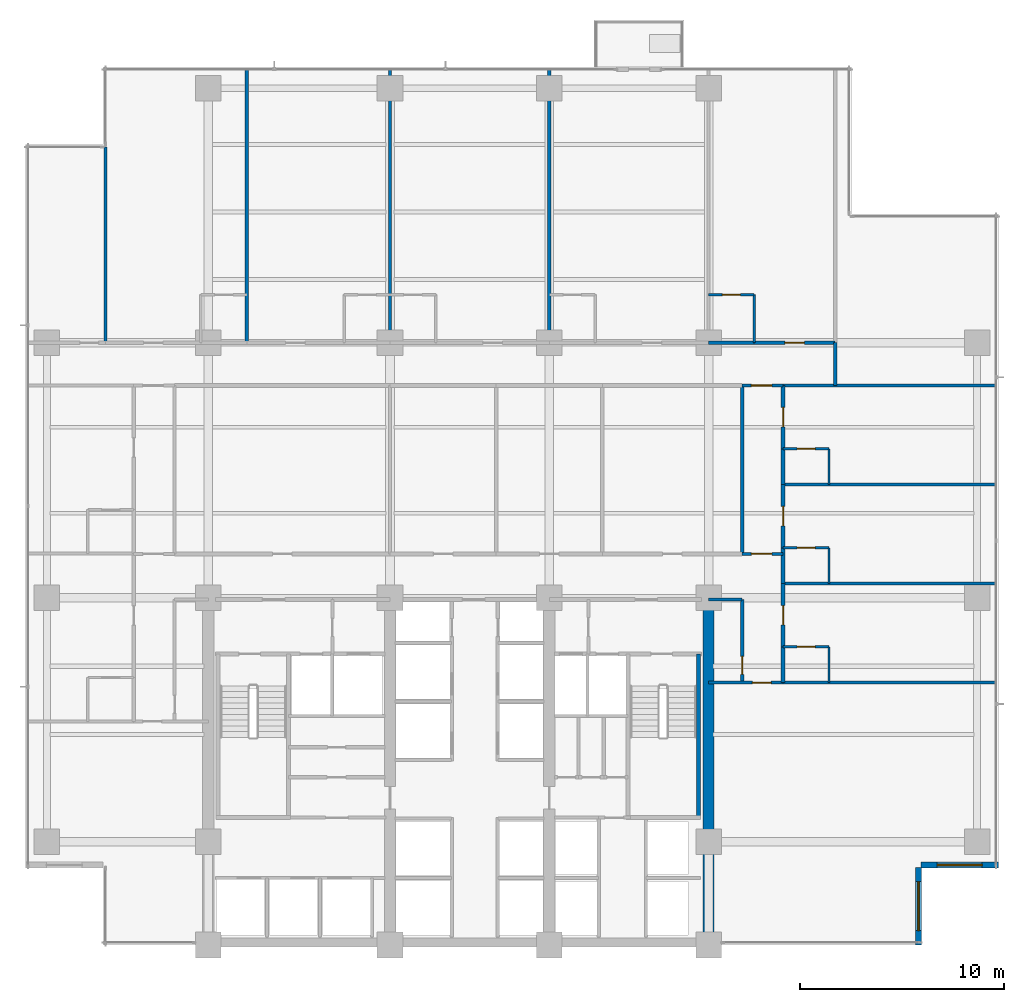
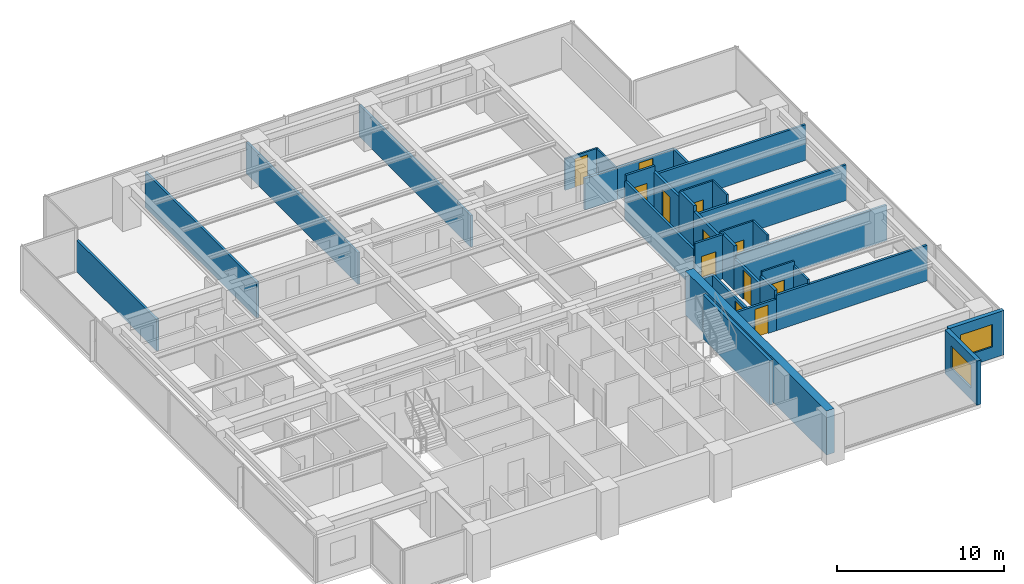
# One storey, part 11 of 17: 35 walls, 12 doors, 2 windows, 14 openings.
"""IFC4 building model written with IfcOpenShell, lengths in metres."""

from ifc_helpers import new_model, si_unit, direction, frame, frame_2d, origin, place, context, subcontext, project, spatial, rectangle, extrude, material, layer, layer_set, type_object, element, fill, save


model = new_model("IFC4")

# Units and contexts
model_context = context("Model", 3, precision=1e-05, world=origin(), true_north=direction((0.0, 1.0)))
body_context = subcontext(model_context, "Body", "Model", "MODEL_VIEW")
ifc_project = project(units=[si_unit("LENGTHUNIT", "METRE"), si_unit("AREAUNIT", "SQUARE_METRE"), si_unit("VOLUMEUNIT", "CUBIC_METRE"), si_unit("PLANEANGLEUNIT", "RADIAN"), si_unit("MASSUNIT", "GRAM", prefix="KILO")], contexts=[model_context])

# Site, building, storey
site_placement = place(None, origin())
site = spatial("IfcSite", under=ifc_project, at=site_placement, CompositionType="ELEMENT")
building_placement = place(site_placement, origin())
building = spatial("IfcBuilding", under=site, at=building_placement, Name="Qalmaran Belvedere Hotel", CompositionType="ELEMENT")
storey_placement = place(building_placement, frame((0.0, 0.0, 88.199951171875)))
storey = spatial("IfcBuildingStorey", under=building, at=storey_placement, Name="L21", CompositionType="ELEMENT", Elevation=88.199951171875)

# Wall
ifc_material_1 = material(Name="Concrete C60/75", Category="concrete")
ifc_layer_1 = layer(ifc_material_1, 0.550048828125, Name="Concrete C60/75")
ifc_layer_set_1 = layer_set([ifc_layer_1], Name="Concrete C60/75")
wall_type_1 = type_object("IfcWallType", Name="WL-CORE-550-C60", PredefinedType="SHEAR", material=ifc_layer_set_1)
wall_1_placement = place(storey_placement, frame((44.800048828125, 3.5, 0.0), z_axis=(0.0, 0.0, 1.0), x_axis=(0.0, 1.0, 0.0)))
element("IfcWall", 1, at=wall_1_placement, inside=storey, type_object=wall_type_1, Name="L21 East Core Shear Wall", PredefinedType="SHEAR", context=body_context, shape_type="SweptSolid", body=[
    extrude(rectangle(XDim=16.89990234375, YDim=0.550048828125, at=frame_2d((8.449951171875, 0.0))), origin(), (0.0, 0.0, 1.0), 3.239990234375),
])

# Wall, opening, window
ifc_material_2 = material(Name="Anodised Bronze Cladding")
ifc_layer_2 = layer(ifc_material_2, 0.280029296875, Name="Anodised Bronze Cladding")
ifc_layer_set_2 = layer_set([ifc_layer_2], Name="Anodised Bronze Cladding")
wall_type_2 = type_object("IfcWallType", Name="WL-EXT-BRNZ-280", PredefinedType="SOLIDWALL", material=ifc_layer_set_2)
wall_2_placement = place(storey_placement, frame((55.080078125, 3.5, 0.0), z_axis=(0.0, 0.0, 1.0), x_axis=(0.0, 1.0, 0.0)))
wall_2 = element("IfcWall", 2, at=wall_2_placement, inside=storey, type_object=wall_type_2, Name="L21 Corner Notch Wall 1", PredefinedType="SOLIDWALL", context=body_context, shape_type="SweptSolid", body=[
    extrude(rectangle(XDim=3.800048828125, YDim=0.280029296875, at=frame_2d((1.89990234375, 0.0))), origin(), (0.0, 0.0, 1.0), 3.239990234375),
])
opening_1_placement = place(wall_2_placement, frame((0.699951171875, 0.0, 0.85009765625)))
opening_1 = element("IfcOpeningElement", 3, at=opening_1_placement, cuts=wall_2, Name="Opening W-N24", PredefinedType="OPENING", context=body_context, shape_type="SweptSolid", body=[
    extrude(rectangle(XDim=2.39990234375, YDim=1.64990234375, at=frame_2d((1.199951171875, 0.824951171875))), frame((0.0, 0.14990234375, 0.0), z_axis=(0.0, -1.0, 0.0), x_axis=(1.0, 0.0, 0.0)), (0.0, 0.0, 1.0), 0.300048828125),
])
ifc_material_3 = material(Name="Solar-Control Double Glazing", Category="glass")
window_type_1 = type_object("IfcWindowType", Name="WN-NTC-2400X1650", PartitioningType="SINGLE_PANEL", PredefinedType="WINDOW", material=ifc_material_3)
window_1_placement = place(opening_1_placement, origin())
window_1 = element("IfcWindow", 4, at=window_1_placement, inside=storey, type_object=window_type_1, Name="L21 Corner Notch Window 1", OverallHeight=1.64990234375, OverallWidth=2.39990234375, PartitioningType="SINGLE_PANEL", PredefinedType="WINDOW", context=body_context, shape_type="SweptSolid", body=[
    extrude(rectangle(XDim=2.39990234375, YDim=1.64990234375, at=frame_2d((1.199951171875, 0.824951171875))), frame((0.0, 0.030029296875, 0.0), z_axis=(0.0, -1.0, 0.0), x_axis=(1.0, 0.0, 0.0)), (0.0, 0.0, 1.0), 0.06005859375),
])
fill(opening_1, window_1)

wall_3_placement = place(storey_placement, frame((55.199951171875, 7.419921875, 0.0), z_axis=(0.0, 0.0, 1.0), x_axis=(1.0, 0.0, 0.0)))
wall_3 = element("IfcWall", 5, at=wall_3_placement, inside=storey, type_object=wall_type_2, Name="L21 Corner Notch Wall 2", PredefinedType="SOLIDWALL", context=body_context, shape_type="SweptSolid", body=[
    extrude(rectangle(XDim=3.800048828125, YDim=0.280029296875, at=frame_2d((1.89990234375, 0.0))), origin(), (0.0, 0.0, 1.0), 3.239990234375),
])
opening_2_placement = place(wall_3_placement, frame((0.800048828125, 0.0, 0.85009765625)))
opening_2 = element("IfcOpeningElement", 6, at=opening_2_placement, cuts=wall_3, Name="Opening W-N22", PredefinedType="OPENING", context=body_context, shape_type="SweptSolid", body=[
    extrude(rectangle(XDim=2.199951171875, YDim=1.64990234375, at=frame_2d((1.10009765625, 0.824951171875))), frame((0.0, 0.14990234375, 0.0), z_axis=(0.0, -1.0, 0.0), x_axis=(1.0, 0.0, 0.0)), (0.0, 0.0, 1.0), 0.300048828125),
])
window_type_2 = type_object("IfcWindowType", Name="WN-NTC-2200X1650", PartitioningType="SINGLE_PANEL", PredefinedType="WINDOW", material=ifc_material_3)
window_2_placement = place(opening_2_placement, origin())
window_2 = element("IfcWindow", 7, at=window_2_placement, inside=storey, type_object=window_type_2, Name="L21 Corner Notch Window 2", OverallHeight=1.64990234375, OverallWidth=2.199951171875, PartitioningType="SINGLE_PANEL", PredefinedType="WINDOW", context=body_context, shape_type="SweptSolid", body=[
    extrude(rectangle(XDim=2.199951171875, YDim=1.64990234375, at=frame_2d((1.10009765625, 0.824951171875))), frame((0.0, 0.030029296875, 0.0), z_axis=(0.0, -1.0, 0.0), x_axis=(1.0, 0.0, 0.0)), (0.0, 0.0, 1.0), 0.06005859375),
])
fill(opening_2, window_2)

# Wall, opening, door
ifc_material_4 = material(Name="Moisture-Resistant Gypsum")
ifc_layer_3 = layer(ifc_material_4, 0.1201171875, Name="Moisture-Resistant Gypsum")
ifc_layer_set_3 = layer_set([ifc_layer_3], Name="Moisture-Resistant Gypsum")
wall_type_3 = type_object("IfcWallType", Name="WL-INT-120-BATH", PredefinedType="PARTITIONING", material=ifc_layer_set_3)
wall_4_placement = place(storey_placement, frame((44.800048828125, 35.35009765625, 0.0), z_axis=(0.0, 0.0, 1.0), x_axis=(1.0, 0.0, 0.0)))
wall_4 = element("IfcWall", 8, at=wall_4_placement, inside=storey, type_object=wall_type_3, Name="L21 Partition WL-L21-NBN04", PredefinedType="PARTITIONING", context=body_context, shape_type="SweptSolid", body=[
    extrude(rectangle(XDim=2.22998046875, YDim=0.1201171875, at=frame_2d((1.114990234375, 0.0))), origin(), (0.0, 0.0, 1.0), 2.31298828125),
])
opening_3_placement = place(wall_4_placement, frame((1.554931640625, 0.0, 0.0), z_axis=(0.0, 0.0, 1.0), x_axis=(-1.0, 0.0, 0.0)))
opening_3 = element("IfcOpeningElement", 9, at=opening_3_placement, cuts=wall_4, Name="Opening D-BATH", PredefinedType="OPENING", context=body_context, shape_type="SweptSolid", body=[
    extrude(rectangle(XDim=0.8798828125, YDim=2.080078125, at=frame_2d((0.43994140625, 1.0400390625))), frame((0.0, 0.070068359375, 0.0), z_axis=(0.0, -1.0, 0.0), x_axis=(1.0, 0.0, 0.0)), (0.0, 0.0, 1.0), 0.14013671875),
])
ifc_material_5 = material(Name="Engineered Oak Veneer")
door_type_1 = type_object("IfcDoorType", Name="DR-INT-BATH-880X2080", OperationType="NOTDEFINED", PredefinedType="DOOR", material=ifc_material_5)
door_1_placement = place(opening_3_placement, origin())
door_1 = element("IfcDoor", 10, at=door_1_placement, inside=storey, type_object=door_type_1, Name="L21 Ensuite Bathroom Door N05", OperationType="SINGLE_SWING_LEFT", OverallHeight=2.080078125, OverallWidth=0.8798828125, PredefinedType="DOOR", context=body_context, shape_type="SweptSolid", body=[
    extrude(rectangle(XDim=0.8798828125, YDim=2.080078125, at=frame_2d((0.43994140625, 1.0400390625))), frame((0.0, 0.02490234375, 0.0), z_axis=(0.0, -1.0, 0.0), x_axis=(1.0, 0.0, 0.0)), (0.0, 0.0, 1.0), 0.050048828125),
])
fill(opening_3, door_1)

# Wall
wall_5_placement = place(storey_placement, frame((47.030029296875, 33.0, 0.0), z_axis=(0.0, 0.0, 1.0), x_axis=(0.0, 1.0, 0.0)))
element("IfcWall", 11, at=wall_5_placement, inside=storey, type_object=wall_type_3, Name="L21 Partition WL-L21-NBS04", PredefinedType="PARTITIONING", context=body_context, shape_type="SweptSolid", body=[
    extrude(rectangle(XDim=2.35009765625, YDim=0.1201171875, at=frame_2d((1.175048828125, 0.0))), origin(), (0.0, 0.0, 1.0), 2.31298828125),
])

# Wall, opening, door
wall_6_placement = place(storey_placement, frame((48.449951171875, 18.10009765625, 0.0), z_axis=(0.0, 0.0, 1.0), x_axis=(1.0, 0.0, 0.0)))
wall_6 = element("IfcWall", 12, at=wall_6_placement, inside=storey, type_object=wall_type_3, Name="L21 Partition WL-L21-EBN00", PredefinedType="PARTITIONING", context=body_context, shape_type="SweptSolid", body=[
    extrude(rectangle(XDim=2.25, YDim=0.1201171875, at=frame_2d((1.125, 0.0))), origin(), (0.0, 0.0, 1.0), 3.239990234375),
])
opening_4_placement = place(wall_6_placement, frame((1.56494140625, 0.0, 0.0), z_axis=(0.0, 0.0, 1.0), x_axis=(-1.0, 0.0, 0.0)))
opening_4 = element("IfcOpeningElement", 13, at=opening_4_placement, cuts=wall_6, Name="Opening D-BATH", PredefinedType="OPENING", context=body_context, shape_type="SweptSolid", body=[
    extrude(rectangle(XDim=0.8798828125, YDim=2.080078125, at=frame_2d((0.43994140625, 1.0400390625))), frame((0.0, 0.070068359375, 0.0), z_axis=(0.0, -1.0, 0.0), x_axis=(1.0, 0.0, 0.0)), (0.0, 0.0, 1.0), 0.14013671875),
])
door_2_placement = place(opening_4_placement, origin())
door_2 = element("IfcDoor", 14, at=door_2_placement, inside=storey, type_object=door_type_1, Name="L21 E Ensuite Door 01", OperationType="SINGLE_SWING_LEFT", OverallHeight=2.080078125, OverallWidth=0.8798828125, PredefinedType="DOOR", context=body_context, shape_type="SweptSolid", body=[
    extrude(rectangle(XDim=0.8798828125, YDim=2.080078125, at=frame_2d((0.43994140625, 1.0400390625))), frame((0.0, 0.02490234375, 0.0), z_axis=(0.0, -1.0, 0.0), x_axis=(1.0, 0.0, 0.0)), (0.0, 0.0, 1.0), 0.050048828125),
])
fill(opening_4, door_2)

# Wall
wall_7_placement = place(storey_placement, frame((50.699951171875, 16.35009765625, 0.0), z_axis=(0.0, 0.0, 1.0), x_axis=(0.0, 1.0, 0.0)))
element("IfcWall", 15, at=wall_7_placement, inside=storey, type_object=wall_type_3, Name="L21 Partition WL-L21-EBS00", PredefinedType="PARTITIONING", context=body_context, shape_type="SweptSolid", body=[
    extrude(rectangle(XDim=1.75, YDim=0.1201171875, at=frame_2d((0.875, 0.0))), origin(), (0.0, 0.0, 1.0), 2.922119140625),
])

# Wall, opening, door
wall_8_placement = place(storey_placement, frame((48.449951171875, 22.949951171875, 0.0), z_axis=(0.0, 0.0, 1.0), x_axis=(1.0, 0.0, 0.0)))
wall_8 = element("IfcWall", 16, at=wall_8_placement, inside=storey, type_object=wall_type_3, Name="L21 Partition WL-L21-EBN01", PredefinedType="PARTITIONING", context=body_context, shape_type="SweptSolid", body=[
    extrude(rectangle(XDim=2.25, YDim=0.1201171875, at=frame_2d((1.125, 0.0))), origin(), (0.0, 0.0, 1.0), 3.239990234375),
])
opening_5_placement = place(wall_8_placement, frame((1.56494140625, 0.0, 0.0), z_axis=(0.0, 0.0, 1.0), x_axis=(-1.0, 0.0, 0.0)))
opening_5 = element("IfcOpeningElement", 17, at=opening_5_placement, cuts=wall_8, Name="Opening D-BATH", PredefinedType="OPENING", context=body_context, shape_type="SweptSolid", body=[
    extrude(rectangle(XDim=0.8798828125, YDim=2.080078125, at=frame_2d((0.43994140625, 1.0400390625))), frame((0.0, 0.070068359375, 0.0), z_axis=(0.0, -1.0, 0.0), x_axis=(1.0, 0.0, 0.0)), (0.0, 0.0, 1.0), 0.14013671875),
])
door_3_placement = place(opening_5_placement, origin())
door_3 = element("IfcDoor", 18, at=door_3_placement, inside=storey, type_object=door_type_1, Name="L21 E Ensuite Door 02", OperationType="SINGLE_SWING_LEFT", OverallHeight=2.080078125, OverallWidth=0.8798828125, PredefinedType="DOOR", context=body_context, shape_type="SweptSolid", body=[
    extrude(rectangle(XDim=0.8798828125, YDim=2.080078125, at=frame_2d((0.43994140625, 1.0400390625))), frame((0.0, 0.02490234375, 0.0), z_axis=(0.0, -1.0, 0.0), x_axis=(1.0, 0.0, 0.0)), (0.0, 0.0, 1.0), 0.050048828125),
])
fill(opening_5, door_3)

# Wall
wall_9_placement = place(storey_placement, frame((50.699951171875, 21.199951171875, 0.0), z_axis=(0.0, 0.0, 1.0), x_axis=(0.0, 1.0, 0.0)))
element("IfcWall", 19, at=wall_9_placement, inside=storey, type_object=wall_type_3, Name="L21 Partition WL-L21-EBS01", PredefinedType="PARTITIONING", context=body_context, shape_type="SweptSolid", body=[
    extrude(rectangle(XDim=1.75, YDim=0.1201171875, at=frame_2d((0.875, 0.0))), origin(), (0.0, 0.0, 1.0), 3.239990234375),
])

# Wall, opening, door
wall_10_placement = place(storey_placement, frame((48.449951171875, 27.800048828125, 0.0), z_axis=(0.0, 0.0, 1.0), x_axis=(1.0, 0.0, 0.0)))
wall_10 = element("IfcWall", 20, at=wall_10_placement, inside=storey, type_object=wall_type_3, Name="L21 Partition WL-L21-EBN02", PredefinedType="PARTITIONING", context=body_context, shape_type="SweptSolid", body=[
    extrude(rectangle(XDim=2.25, YDim=0.1201171875, at=frame_2d((1.125, 0.0))), origin(), (0.0, 0.0, 1.0), 3.239990234375),
])
opening_6_placement = place(wall_10_placement, frame((1.56494140625, 0.0, 0.0), z_axis=(0.0, 0.0, 1.0), x_axis=(-1.0, 0.0, 0.0)))
opening_6 = element("IfcOpeningElement", 21, at=opening_6_placement, cuts=wall_10, Name="Opening D-BATH", PredefinedType="OPENING", context=body_context, shape_type="SweptSolid", body=[
    extrude(rectangle(XDim=0.8798828125, YDim=2.080078125, at=frame_2d((0.43994140625, 1.0400390625))), frame((0.0, 0.070068359375, 0.0), z_axis=(0.0, -1.0, 0.0), x_axis=(1.0, 0.0, 0.0)), (0.0, 0.0, 1.0), 0.14013671875),
])
door_4_placement = place(opening_6_placement, origin())
door_4 = element("IfcDoor", 22, at=door_4_placement, inside=storey, type_object=door_type_1, Name="L21 E Ensuite Door 03", OperationType="SINGLE_SWING_LEFT", OverallHeight=2.080078125, OverallWidth=0.8798828125, PredefinedType="DOOR", context=body_context, shape_type="SweptSolid", body=[
    extrude(rectangle(XDim=0.8798828125, YDim=2.080078125, at=frame_2d((0.43994140625, 1.0400390625))), frame((0.0, 0.02490234375, 0.0), z_axis=(0.0, -1.0, 0.0), x_axis=(1.0, 0.0, 0.0)), (0.0, 0.0, 1.0), 0.050048828125),
])
fill(opening_6, door_4)

# Wall
wall_11_placement = place(storey_placement, frame((50.699951171875, 26.050048828125, 0.0), z_axis=(0.0, 0.0, 1.0), x_axis=(0.0, 1.0, 0.0)))
element("IfcWall", 23, at=wall_11_placement, inside=storey, type_object=wall_type_3, Name="L21 Partition WL-L21-EBS02", PredefinedType="PARTITIONING", context=body_context, shape_type="SweptSolid", body=[
    extrude(rectangle(XDim=1.75, YDim=0.1201171875, at=frame_2d((0.875, 0.0))), origin(), (0.0, 0.0, 1.0), 3.239990234375),
])

# Wall, opening, door
ifc_material_6 = material(Name="Gypsum Stud Partition")
ifc_layer_4 = layer(ifc_material_6, 0.14990234375, Name="Gypsum Stud Partition")
ifc_layer_set_4 = layer_set([ifc_layer_4], Name="Gypsum Stud Partition")
wall_type_4 = type_object("IfcWallType", Name="WL-INT-150-EI60", PredefinedType="PARTITIONING", material=ifc_layer_set_4)
wall_12_placement = place(storey_placement, frame((46.449951171875, 22.64990234375, 0.0), z_axis=(0.0, 0.0, 1.0), x_axis=(1.0, 0.0, 0.0)))
wall_12 = element("IfcWall", 24, at=wall_12_placement, inside=storey, type_object=wall_type_4, Name="L21 Partition WL-L21-XCE1", PredefinedType="PARTITIONING", context=body_context, shape_type="SweptSolid", body=[
    extrude(rectangle(XDim=2.0, YDim=0.14990234375, at=frame_2d((1.0, 0.0))), origin(), (0.0, 0.0, 1.0), 3.239990234375),
])
opening_7_placement = place(wall_12_placement, frame((0.449951171875, 0.0, 0.0)))
opening_7 = element("IfcOpeningElement", 25, at=opening_7_placement, cuts=wall_12, Name="Opening FD90B", PredefinedType="OPENING", context=body_context, shape_type="SweptSolid", body=[
    extrude(rectangle(XDim=1.0, YDim=2.14990234375, at=frame_2d((0.5, 1.074951171875))), frame((0.0, 0.0849609375, 0.0), z_axis=(0.0, -1.0, 0.0), x_axis=(1.0, 0.0, 0.0)), (0.0, 0.0, 1.0), 0.169921875),
])
ifc_material_7 = material(Name="Steel S355JR", Category="steel")
door_type_2 = type_object("IfcDoorType", Name="DR-FD90B-1000X2150", OperationType="NOTDEFINED", PredefinedType="DOOR", material=ifc_material_7)
door_5_placement = place(opening_7_placement, origin())
door_5 = element("IfcDoor", 26, at=door_5_placement, inside=storey, type_object=door_type_2, Name="L21 East Corridor Smoke Door S", OperationType="SINGLE_SWING_LEFT", OverallHeight=2.14990234375, OverallWidth=1.0, PredefinedType="DOOR", context=body_context, shape_type="SweptSolid", body=[
    extrude(rectangle(XDim=1.0, YDim=2.14990234375, at=frame_2d((0.5, 1.074951171875))), frame((0.0, 0.02490234375, 0.0), z_axis=(0.0, -1.0, 0.0), x_axis=(1.0, 0.0, 0.0)), (0.0, 0.0, 1.0), 0.050048828125),
])
fill(opening_7, door_5)

wall_13_placement = place(storey_placement, frame((46.449951171875, 30.89990234375, 0.0), z_axis=(0.0, 0.0, 1.0), x_axis=(1.0, 0.0, 0.0)))
wall_13 = element("IfcWall", 27, at=wall_13_placement, inside=storey, type_object=wall_type_4, Name="L21 Partition WL-L21-XCE2", PredefinedType="PARTITIONING", context=body_context, shape_type="SweptSolid", body=[
    extrude(rectangle(XDim=2.0, YDim=0.14990234375, at=frame_2d((1.0, 0.0))), origin(), (0.0, 0.0, 1.0), 3.239990234375),
])
opening_8_placement = place(wall_13_placement, frame((0.449951171875, 0.0, 0.0)))
opening_8 = element("IfcOpeningElement", 28, at=opening_8_placement, cuts=wall_13, Name="Opening FD90B", PredefinedType="OPENING", context=body_context, shape_type="SweptSolid", body=[
    extrude(rectangle(XDim=1.0, YDim=2.14990234375, at=frame_2d((0.5, 1.074951171875))), frame((0.0, 0.0849609375, 0.0), z_axis=(0.0, -1.0, 0.0), x_axis=(1.0, 0.0, 0.0)), (0.0, 0.0, 1.0), 0.169921875),
])
door_6_placement = place(opening_8_placement, origin())
door_6 = element("IfcDoor", 29, at=door_6_placement, inside=storey, type_object=door_type_2, Name="L21 East Corridor Smoke Door N", OperationType="SINGLE_SWING_RIGHT", OverallHeight=2.14990234375, OverallWidth=1.0, PredefinedType="DOOR", context=body_context, shape_type="SweptSolid", body=[
    extrude(rectangle(XDim=1.0, YDim=2.14990234375, at=frame_2d((0.5, 1.074951171875))), frame((0.0, 0.02490234375, 0.0), z_axis=(0.0, -1.0, 0.0), x_axis=(1.0, 0.0, 0.0)), (0.0, 0.0, 1.0), 0.050048828125),
])
fill(opening_8, door_6)

ifc_layer_5 = layer(ifc_material_6, 0.159912109375, Name="Gypsum Stud Partition")
ifc_layer_set_5 = layer_set([ifc_layer_5], Name="Gypsum Stud Partition")
wall_type_5 = type_object("IfcWallType", Name="WL-INT-160-EI60", PredefinedType="PARTITIONING", material=ifc_layer_set_5)
wall_14_placement = place(storey_placement, frame((44.800048828125, 16.35009765625, 0.0), z_axis=(0.0, 0.0, 1.0), x_axis=(1.0, 0.0, 0.0)))
wall_14 = element("IfcWall", 30, at=wall_14_placement, inside=storey, type_object=wall_type_5, Name="L21 Partition WL-L21-SERL", PredefinedType="PARTITIONING", context=body_context, shape_type="SweptSolid", body=[
    extrude(rectangle(XDim=3.64990234375, YDim=0.159912109375, at=frame_2d((1.824951171875, 0.0))), origin(), (0.0, 0.0, 1.0), 2.31298828125),
])
opening_9_placement = place(wall_14_placement, frame((3.06982421875, 0.0, 0.0), z_axis=(0.0, 0.0, 1.0), x_axis=(-1.0, 0.0, 0.0)))
opening_9 = element("IfcOpeningElement", 31, at=opening_9_placement, cuts=wall_14, Name="Opening FD60S1", PredefinedType="OPENING", context=body_context, shape_type="SweptSolid", body=[
    extrude(rectangle(XDim=0.919921875, YDim=2.080078125, at=frame_2d((0.4599609375, 1.0400390625))), frame((0.0, 0.08984375, 0.0), z_axis=(0.0, -1.0, 0.0), x_axis=(1.0, 0.0, 0.0)), (0.0, 0.0, 1.0), 0.179931640625),
])
door_type_3 = type_object("IfcDoorType", Name="DR-FD60S-920X2080", OperationType="NOTDEFINED", PredefinedType="DOOR", material=ifc_material_5)
door_7_placement = place(opening_9_placement, origin())
door_7 = element("IfcDoor", 32, at=door_7_placement, inside=storey, type_object=door_type_3, Name="L21 SE Lounge Door", OperationType="SINGLE_SWING_RIGHT", OverallHeight=2.080078125, OverallWidth=0.919921875, PredefinedType="DOOR", context=body_context, shape_type="SweptSolid", body=[
    extrude(rectangle(XDim=0.919921875, YDim=2.080078125, at=frame_2d((0.4599609375, 1.0400390625))), frame((0.0, 0.02490234375, 0.0), z_axis=(0.0, -1.0, 0.0), x_axis=(1.0, 0.0, 0.0)), (0.0, 0.0, 1.0), 0.050048828125),
])
fill(opening_9, door_7)

wall_15_placement = place(storey_placement, frame((46.449951171875, 16.35009765625, 0.0), z_axis=(0.0, 0.0, 1.0), x_axis=(0.0, 1.0, 0.0)))
wall_15 = element("IfcWall", 33, at=wall_15_placement, inside=storey, type_object=wall_type_5, Name="L21 Partition WL-L21-ECL", PredefinedType="PARTITIONING", context=body_context, shape_type="SweptSolid", body=[
    extrude(rectangle(XDim=4.06982421875, YDim=0.159912109375, at=frame_2d((2.034912109375, 0.0))), origin(), (0.0, 0.0, 1.0), 2.31298828125),
])
opening_10_placement = place(wall_15_placement, frame((0.39990234375, 0.0, 0.0)))
opening_10 = element("IfcOpeningElement", 34, at=opening_10_placement, cuts=wall_15, Name="Opening FD60B", PredefinedType="OPENING", context=body_context, shape_type="SweptSolid", body=[
    extrude(rectangle(XDim=0.8798828125, YDim=2.080078125, at=frame_2d((0.43994140625, 1.0400390625))), frame((0.0, 0.08984375, 0.0), z_axis=(0.0, -1.0, 0.0), x_axis=(1.0, 0.0, 0.0)), (0.0, 0.0, 1.0), 0.179931640625),
])
door_type_4 = type_object("IfcDoorType", Name="DR-FD60B-880X2080", OperationType="NOTDEFINED", PredefinedType="DOOR", material=ifc_material_7)
door_8_placement = place(opening_10_placement, origin())
door_8 = element("IfcDoor", 35, at=door_8_placement, inside=storey, type_object=door_type_4, Name="L21 East Closet Door", OperationType="SINGLE_SWING_RIGHT", OverallHeight=2.080078125, OverallWidth=0.8798828125, PredefinedType="DOOR", context=body_context, shape_type="SweptSolid", body=[
    extrude(rectangle(XDim=0.8798828125, YDim=2.080078125, at=frame_2d((0.43994140625, 1.0400390625))), frame((0.0, 0.02490234375, 0.0), z_axis=(0.0, -1.0, 0.0), x_axis=(1.0, 0.0, 0.0)), (0.0, 0.0, 1.0), 0.050048828125),
])
fill(opening_10, door_8)

# Walls
wall_16_placement = place(storey_placement, frame((44.800048828125, 20.419921875, 0.0), z_axis=(0.0, 0.0, 1.0), x_axis=(1.0, 0.0, 0.0)))
element("IfcWall", 36, at=wall_16_placement, inside=storey, type_object=wall_type_5, Name="L21 Partition WL-L21-ECLN", PredefinedType="PARTITIONING", context=body_context, shape_type="SweptSolid", body=[
    extrude(rectangle(XDim=1.64990234375, YDim=0.159912109375, at=frame_2d((0.824951171875, 0.0))), origin(), (0.0, 0.0, 1.0), 2.31298828125),
])
wall_17_placement = place(storey_placement, frame((51.0, 30.89990234375, 0.0), z_axis=(0.0, 0.0, 1.0), x_axis=(0.0, 1.0, 0.0)))
element("IfcWall", 37, at=wall_17_placement, inside=storey, type_object=wall_type_5, Name="L21 Partition WL-L21-NCGE", PredefinedType="PARTITIONING", context=body_context, shape_type="SweptSolid", body=[
    extrude(rectangle(XDim=2.10009765625, YDim=0.159912109375, at=frame_2d((1.050048828125, 0.0))), origin(), (0.0, 0.0, 1.0), 2.31298828125),
])
wall_18_placement = place(storey_placement, frame((46.449951171875, 22.64990234375, 0.0), z_axis=(0.0, 0.0, 1.0), x_axis=(0.0, 1.0, 0.0)))
element("IfcWall", 38, at=wall_18_placement, inside=storey, type_object=wall_type_5, Name="L21 Partition WL-L21-MIDVR4", PredefinedType="PARTITIONING", context=body_context, shape_type="SweptSolid", body=[
    extrude(rectangle(XDim=8.25, YDim=0.159912109375, at=frame_2d((4.125, 0.0))), origin(), (0.0, 0.0, 1.0), 2.818115234375),
])
wall_19_placement = place(storey_placement, frame((15.27001953125, 33.0, 0.0), z_axis=(0.0, 0.0, 1.0), x_axis=(0.0, 1.0, 0.0)))
element("IfcWall", 39, at=wall_19_placement, inside=storey, type_object=wall_type_5, Name="L21 Partition WL-L21-NUL", PredefinedType="PARTITIONING", context=body_context, shape_type="SweptSolid", body=[
    extrude(rectangle(XDim=9.580078125, YDim=0.159912109375, at=frame_2d((4.7900390625, 0.0))), origin(), (0.0, 0.0, 1.0), 2.31298828125),
])
wall_20_placement = place(storey_placement, frame((22.18798828125, 33.0, 0.0), z_axis=(0.0, 0.0, 1.0), x_axis=(0.0, 1.0, 0.0)))
element("IfcWall", 40, at=wall_20_placement, inside=storey, type_object=wall_type_5, Name="L21 Partition WL-L21-NUR00", PredefinedType="PARTITIONING", context=body_context, shape_type="SweptSolid", body=[
    extrude(rectangle(XDim=13.3798828125, YDim=0.159912109375, at=frame_2d((6.68994140625, 0.0))), origin(), (0.0, 0.0, 1.0), 2.60302734375),
])
for number, where, z_axis, x_axis, name in (
    (41, (29.199951171875, 33.0, 0.0), (0.0, 0.0, 1.0), (0.0, 1.0, 0.0), "L21 Partition WL-L21-NUR01"),
    (42, (37.0, 33.0, 0.0), (0.0, 0.0, 1.0), (0.0, 1.0, 0.0), "L21 Partition WL-L21-NUR02"),
):
    element("IfcWall", number, at=place(storey_placement, frame(where, z_axis=z_axis, x_axis=x_axis)), inside=storey, type_object=wall_type_5, Name=name, PredefinedType="PARTITIONING", context=body_context, shape_type="SweptSolid", body=[
        extrude(rectangle(XDim=13.3798828125, YDim=0.159912109375, at=frame_2d((6.68994140625, 0.0))), origin(), (0.0, 0.0, 1.0), 2.31298828125),
    ])
for number, where, z_axis, x_axis, name in (
    (43, (48.449951171875, 16.35009765625, 0.0), (0.0, 0.0, 1.0), (1.0, 0.0, 0.0), "L21 Partition WL-L21-EBOT"),
    (44, (48.449951171875, 21.199951171875, 0.0), (0.0, 0.0, 1.0), (1.0, 0.0, 0.0), "L21 Partition WL-L21-EU00"),
    (45, (48.449951171875, 26.050048828125, 0.0), (0.0, 0.0, 1.0), (1.0, 0.0, 0.0), "L21 Partition WL-L21-EU01"),
    (46, (48.449951171875, 30.89990234375, 0.0), (0.0, 0.0, 1.0), (1.0, 0.0, 0.0), "L21 Partition WL-L21-EU02"),
):
    element("IfcWall", number, at=place(storey_placement, frame(where, z_axis=z_axis, x_axis=x_axis)), inside=storey, type_object=wall_type_5, Name=name, PredefinedType="PARTITIONING", context=body_context, shape_type="SweptSolid", body=[
        extrude(rectangle(XDim=10.429931640625, YDim=0.159912109375, at=frame_2d((5.21484375, 0.0))), origin(), (0.0, 0.0, 1.0), 2.60302734375),
    ])
ifc_layer_6 = layer(ifc_material_6, 0.179931640625, Name="Gypsum Stud Partition")
ifc_layer_set_6 = layer_set([ifc_layer_6], Name="Gypsum Stud Partition")
wall_type_6 = type_object("IfcWallType", Name="WL-INT-180-EI60", PredefinedType="PARTITIONING", material=ifc_layer_set_6)
wall_21_placement = place(storey_placement, frame((44.800048828125, 33.0, 0.0), z_axis=(0.0, 0.0, 1.0), x_axis=(1.0, 0.0, 0.0)))
element("IfcWall", 47, at=wall_21_placement, inside=storey, type_object=wall_type_6, Name="L21 Partition WL-L21-NBC04", PredefinedType="PARTITIONING", context=body_context, shape_type="SweptSolid", body=[
    extrude(rectangle(XDim=2.22998046875, YDim=0.179931640625, at=frame_2d((1.114990234375, 0.0))), origin(), (0.0, 0.0, 1.0), 2.31298828125),
])

# Wall, opening, door
wall_22_placement = place(storey_placement, frame((47.030029296875, 33.0, 0.0), z_axis=(0.0, 0.0, 1.0), x_axis=(1.0, 0.0, 0.0)))
wall_22 = element("IfcWall", 48, at=wall_22_placement, inside=storey, type_object=wall_type_6, Name="L21 Partition WL-L21-NEC04", PredefinedType="PARTITIONING", context=body_context, shape_type="SweptSolid", body=[
    extrude(rectangle(XDim=3.969970703125, YDim=0.179931640625, at=frame_2d((1.98486328125, 0.0))), origin(), (0.0, 0.0, 1.0), 2.31298828125),
])
opening_11_placement = place(wall_22_placement, frame((1.510009765625, 0.0, 0.0)))
opening_11 = element("IfcOpeningElement", 49, at=opening_11_placement, cuts=wall_22, Name="Opening FD60", PredefinedType="OPENING", context=body_context, shape_type="SweptSolid", body=[
    extrude(rectangle(XDim=0.949951171875, YDim=2.14990234375, at=frame_2d((0.47509765625, 1.074951171875))), frame((0.0, 0.10009765625, 0.0), z_axis=(0.0, -1.0, 0.0), x_axis=(1.0, 0.0, 0.0)), (0.0, 0.0, 1.0), 0.199951171875),
])
door_type_5 = type_object("IfcDoorType", Name="DR-FD60-950X2150", OperationType="NOTDEFINED", PredefinedType="DOOR", material=ifc_material_5)
door_9_placement = place(opening_11_placement, origin())
door_9 = element("IfcDoor", 50, at=door_9_placement, inside=storey, type_object=door_type_5, Name="L21 Guest Entrance Door N05", OperationType="SINGLE_SWING_RIGHT", OverallHeight=2.14990234375, OverallWidth=0.949951171875, PredefinedType="DOOR", context=body_context, shape_type="SweptSolid", body=[
    extrude(rectangle(XDim=0.949951171875, YDim=2.14990234375, at=frame_2d((0.47509765625, 1.074951171875))), frame((0.0, 0.02490234375, 0.0), z_axis=(0.0, -1.0, 0.0), x_axis=(1.0, 0.0, 0.0)), (0.0, 0.0, 1.0), 0.050048828125),
])
fill(opening_11, door_9)

# Wall
wall_23_placement = place(storey_placement, frame((48.449951171875, 16.35009765625, 0.0), z_axis=(0.0, 0.0, 1.0), x_axis=(0.0, 1.0, 0.0)))
element("IfcWall", 51, at=wall_23_placement, inside=storey, type_object=wall_type_6, Name="L21 Partition WL-L21-EBC00", PredefinedType="PARTITIONING", context=body_context, shape_type="SweptSolid", body=[
    extrude(rectangle(XDim=1.75, YDim=0.179931640625, at=frame_2d((0.875, 0.0))), origin(), (0.0, 0.0, 1.0), 2.922119140625),
])

# Wall, opening, door
wall_24_placement = place(storey_placement, frame((48.449951171875, 18.10009765625, 0.0), z_axis=(0.0, 0.0, 1.0), x_axis=(0.0, 1.0, 0.0)))
wall_24 = element("IfcWall", 52, at=wall_24_placement, inside=storey, type_object=wall_type_6, Name="L21 Partition WL-L21-EEC00", PredefinedType="PARTITIONING", context=body_context, shape_type="SweptSolid", body=[
    extrude(rectangle(XDim=3.099853515625, YDim=0.179931640625, at=frame_2d((1.5498046875, 0.0))), origin(), (0.0, 0.0, 1.0), 2.31298828125),
])
opening_12_placement = place(wall_24_placement, frame((2.02490234375, 0.0, 0.0), z_axis=(0.0, 0.0, 1.0), x_axis=(-1.0, 0.0, 0.0)))
opening_12 = element("IfcOpeningElement", 53, at=opening_12_placement, cuts=wall_24, Name="Opening FD60", PredefinedType="OPENING", context=body_context, shape_type="SweptSolid", body=[
    extrude(rectangle(XDim=0.949951171875, YDim=2.14990234375, at=frame_2d((0.47509765625, 1.074951171875))), frame((0.0, 0.10009765625, 0.0), z_axis=(0.0, -1.0, 0.0), x_axis=(1.0, 0.0, 0.0)), (0.0, 0.0, 1.0), 0.199951171875),
])
door_10_placement = place(opening_12_placement, origin())
door_10 = element("IfcDoor", 54, at=door_10_placement, inside=storey, type_object=door_type_5, Name="L21 E Wing Door 01", OperationType="SINGLE_SWING_RIGHT", OverallHeight=2.14990234375, OverallWidth=0.949951171875, PredefinedType="DOOR", context=body_context, shape_type="SweptSolid", body=[
    extrude(rectangle(XDim=0.949951171875, YDim=2.14990234375, at=frame_2d((0.47509765625, 1.074951171875))), frame((0.0, 0.02490234375, 0.0), z_axis=(0.0, -1.0, 0.0), x_axis=(1.0, 0.0, 0.0)), (0.0, 0.0, 1.0), 0.050048828125),
])
fill(opening_12, door_10)

# Wall
wall_25_placement = place(storey_placement, frame((48.449951171875, 21.199951171875, 0.0), z_axis=(0.0, 0.0, 1.0), x_axis=(0.0, 1.0, 0.0)))
element("IfcWall", 55, at=wall_25_placement, inside=storey, type_object=wall_type_6, Name="L21 Partition WL-L21-EBC01", PredefinedType="PARTITIONING", context=body_context, shape_type="SweptSolid", body=[
    extrude(rectangle(XDim=1.75, YDim=0.179931640625, at=frame_2d((0.875, 0.0))), origin(), (0.0, 0.0, 1.0), 3.239990234375),
])

# Wall, opening, door
wall_26_placement = place(storey_placement, frame((48.449951171875, 22.949951171875, 0.0), z_axis=(0.0, 0.0, 1.0), x_axis=(0.0, 1.0, 0.0)))
wall_26 = element("IfcWall", 56, at=wall_26_placement, inside=storey, type_object=wall_type_6, Name="L21 Partition WL-L21-EEC01", PredefinedType="PARTITIONING", context=body_context, shape_type="SweptSolid", body=[
    extrude(rectangle(XDim=3.10009765625, YDim=0.179931640625, at=frame_2d((1.550048828125, 0.0))), origin(), (0.0, 0.0, 1.0), 2.818115234375),
])
opening_13_placement = place(wall_26_placement, frame((2.02490234375, 0.0, 0.0), z_axis=(0.0, 0.0, 1.0), x_axis=(-1.0, 0.0, 0.0)))
opening_13 = element("IfcOpeningElement", 57, at=opening_13_placement, cuts=wall_26, Name="Opening FD60", PredefinedType="OPENING", context=body_context, shape_type="SweptSolid", body=[
    extrude(rectangle(XDim=0.949951171875, YDim=2.14990234375, at=frame_2d((0.47509765625, 1.074951171875))), frame((0.0, 0.10009765625, 0.0), z_axis=(0.0, -1.0, 0.0), x_axis=(1.0, 0.0, 0.0)), (0.0, 0.0, 1.0), 0.199951171875),
])
door_11_placement = place(opening_13_placement, origin())
door_11 = element("IfcDoor", 58, at=door_11_placement, inside=storey, type_object=door_type_5, Name="L21 E Wing Door 02", OperationType="SINGLE_SWING_RIGHT", OverallHeight=2.14990234375, OverallWidth=0.949951171875, PredefinedType="DOOR", context=body_context, shape_type="SweptSolid", body=[
    extrude(rectangle(XDim=0.949951171875, YDim=2.14990234375, at=frame_2d((0.47509765625, 1.074951171875))), frame((0.0, 0.02490234375, 0.0), z_axis=(0.0, -1.0, 0.0), x_axis=(1.0, 0.0, 0.0)), (0.0, 0.0, 1.0), 0.050048828125),
])
fill(opening_13, door_11)

# Wall
wall_27_placement = place(storey_placement, frame((48.449951171875, 26.050048828125, 0.0), z_axis=(0.0, 0.0, 1.0), x_axis=(0.0, 1.0, 0.0)))
element("IfcWall", 59, at=wall_27_placement, inside=storey, type_object=wall_type_6, Name="L21 Partition WL-L21-EBC02", PredefinedType="PARTITIONING", context=body_context, shape_type="SweptSolid", body=[
    extrude(rectangle(XDim=1.75, YDim=0.179931640625, at=frame_2d((0.875, 0.0))), origin(), (0.0, 0.0, 1.0), 3.239990234375),
])

# Wall, opening, door
wall_28_placement = place(storey_placement, frame((48.449951171875, 27.800048828125, 0.0), z_axis=(0.0, 0.0, 1.0), x_axis=(0.0, 1.0, 0.0)))
wall_28 = element("IfcWall", 60, at=wall_28_placement, inside=storey, type_object=wall_type_6, Name="L21 Partition WL-L21-EEC02", PredefinedType="PARTITIONING", context=body_context, shape_type="SweptSolid", body=[
    extrude(rectangle(XDim=3.099853515625, YDim=0.179931640625, at=frame_2d((1.5498046875, 0.0))), origin(), (0.0, 0.0, 1.0), 2.818115234375),
])
opening_14_placement = place(wall_28_placement, frame((2.02490234375, 0.0, 0.0), z_axis=(0.0, 0.0, 1.0), x_axis=(-1.0, 0.0, 0.0)))
opening_14 = element("IfcOpeningElement", 61, at=opening_14_placement, cuts=wall_28, Name="Opening FD60", PredefinedType="OPENING", context=body_context, shape_type="SweptSolid", body=[
    extrude(rectangle(XDim=0.949951171875, YDim=2.14990234375, at=frame_2d((0.47509765625, 1.074951171875))), frame((0.0, 0.10009765625, 0.0), z_axis=(0.0, -1.0, 0.0), x_axis=(1.0, 0.0, 0.0)), (0.0, 0.0, 1.0), 0.199951171875),
])
door_12_placement = place(opening_14_placement, origin())
door_12 = element("IfcDoor", 62, at=door_12_placement, inside=storey, type_object=door_type_5, Name="L21 E Wing Door 03", OperationType="SINGLE_SWING_RIGHT", OverallHeight=2.14990234375, OverallWidth=0.949951171875, PredefinedType="DOOR", context=body_context, shape_type="SweptSolid", body=[
    extrude(rectangle(XDim=0.949951171875, YDim=2.14990234375, at=frame_2d((0.47509765625, 1.074951171875))), frame((0.0, 0.02490234375, 0.0), z_axis=(0.0, -1.0, 0.0), x_axis=(1.0, 0.0, 0.0)), (0.0, 0.0, 1.0), 0.050048828125),
])
fill(opening_14, door_12)

# Wall
ifc_material_8 = material(Name="Concrete C50/60", Category="concrete")
ifc_layer_7 = layer(ifc_material_8, 0.2099609375, Name="Concrete C50/60")
ifc_layer_set_7 = layer_set([ifc_layer_7], Name="Concrete C50/60")
wall_type_7 = type_object("IfcWallType", Name="WL-STAIR-210-C50", PredefinedType="SHEAR", material=ifc_layer_set_7)
wall_29_placement = place(storey_placement, frame((44.304931640625, 9.7451171875, 0.0), z_axis=(0.0, 0.0, 1.0), x_axis=(0.0, 1.0, 0.0)))
element("IfcWall", 63, at=wall_29_placement, inside=storey, type_object=wall_type_7, Name="L21 Stair ST-2 East Bearing Wall", PredefinedType="SHEAR", context=body_context, shape_type="SweptSolid", body=[
    extrude(rectangle(XDim=8.009765625, YDim=0.2099609375, at=frame_2d((4.0048828125, 0.0))), origin(), (0.0, 0.0, 1.0), 3.239990234375),
])

save(model, "model.ifc")
